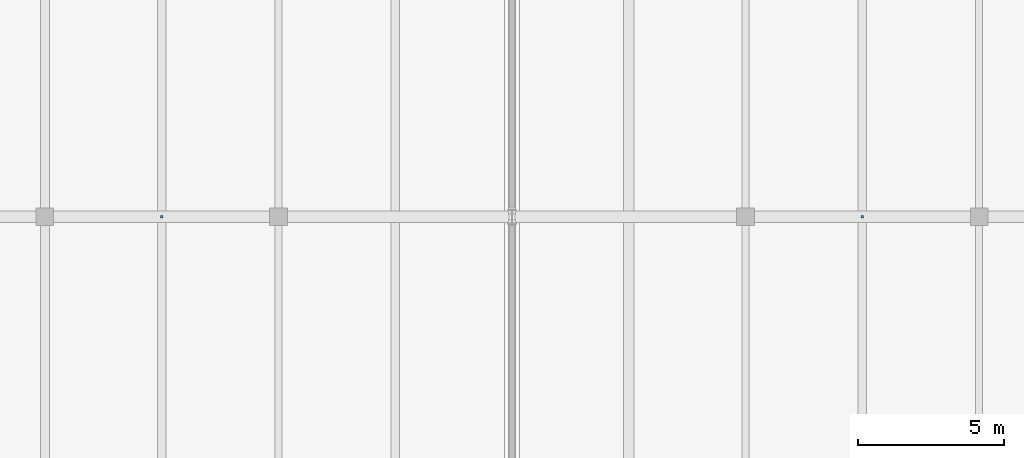
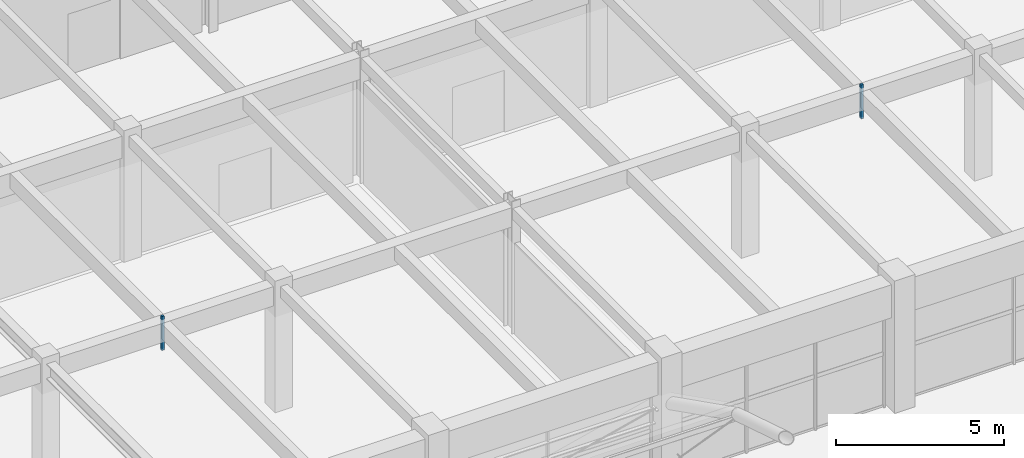
# One storey, part 120 of 144: 2 discrete accessories.
"""IFC4 building model written with IfcOpenShell, lengths in metres."""

from ifc_helpers import new_model, si_unit, direction, frame, origin, origin_2d, place, context, subcontext, project, spatial, rectangle, extrude, material, layer, layer_set, type_object, element, save


model = new_model("IFC4")

# Units and contexts
model_context = context("Model", 3, precision=1e-05, world=origin(), true_north=direction((0.0, 1.0)))
body_context = subcontext(model_context, "Body", "Model", "MODEL_VIEW")
ifc_project = project(units=[si_unit("LENGTHUNIT", "METRE"), si_unit("AREAUNIT", "SQUARE_METRE"), si_unit("VOLUMEUNIT", "CUBIC_METRE"), si_unit("PLANEANGLEUNIT", "RADIAN"), si_unit("MASSUNIT", "GRAM", prefix="KILO")], contexts=[model_context])

# Site, building, storey
site_placement = place(None, origin())
site = spatial("IfcSite", under=ifc_project, at=site_placement, CompositionType="ELEMENT")
building_placement = place(site_placement, origin())
building = spatial("IfcBuilding", under=site, at=building_placement, Name="Varnabhumi Central Station", CompositionType="ELEMENT")
storey_placement = place(building_placement, frame((0.0, 0.0, 4.800048828125)))
storey = spatial("IfcBuildingStorey", under=building, at=storey_placement, Name="L01", CompositionType="ELEMENT", Elevation=4.800048828125)

# Discrete accessories
ifc_material = material(Name="Structural steel E350", Category="steel")
ifc_layer = layer(ifc_material, 0.159912109375, Name="Structural steel E350", Category="steel")
ifc_layer_set = layer_set([ifc_layer], Name="Structural steel E350")
discrete_accessory_type = type_object("IfcDiscreteAccessoryType", Name="ACC-SHADE-BRKT", PredefinedType="BRACKET", material=ifc_layer_set)
for number, where, z_axis, x_axis, name in (
    (1, (12.0, 89.0, 3.43994140625), (0.0, 0.0, 1.0), (1.0, 0.0, 0.0), "Varnabhumi Grand Station Cafe Ceiling Hanger"),
    (2, (36.0, 89.0, 3.43994140625), (0.0, 0.0, 1.0), (1.0, 0.0, 0.0), "Passenger Refreshment Room Ceiling Hanger"),
):
    element("IfcDiscreteAccessory", number, at=place(storey_placement, frame(where, z_axis=z_axis, x_axis=x_axis)), inside=storey, type_object=discrete_accessory_type, Name=name, PredefinedType="BRACKET", context=body_context, shape_type="SweptSolid", body=[
        extrude(rectangle(XDim=0.080078125, YDim=0.080078125, at=origin_2d()), origin(), (0.0, 0.0, 1.0), 1.22998046875),
    ])

save(model, "model.ifc")
